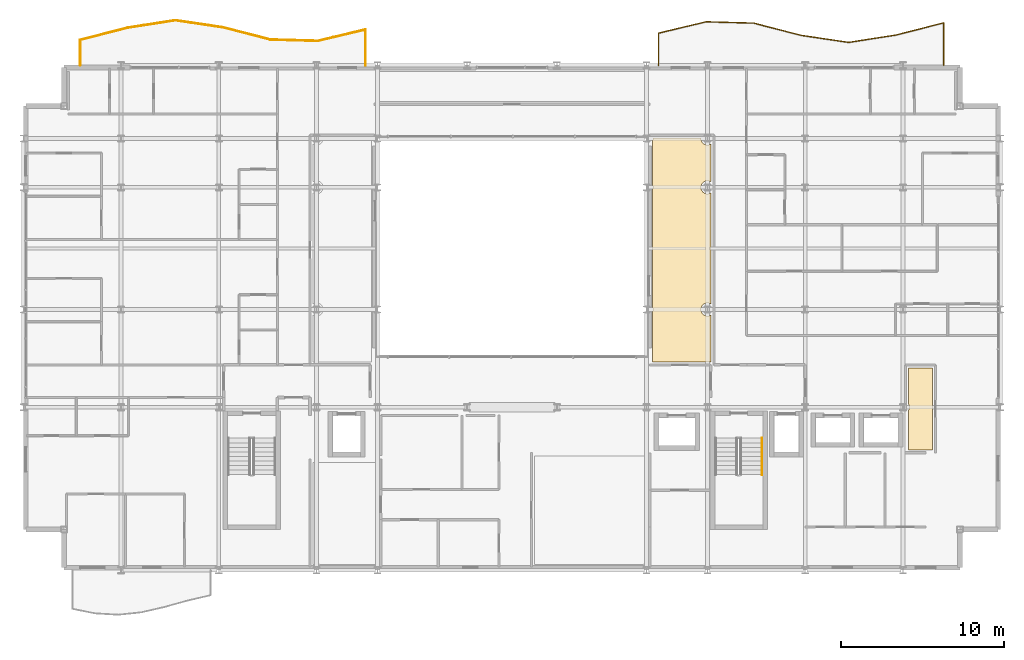
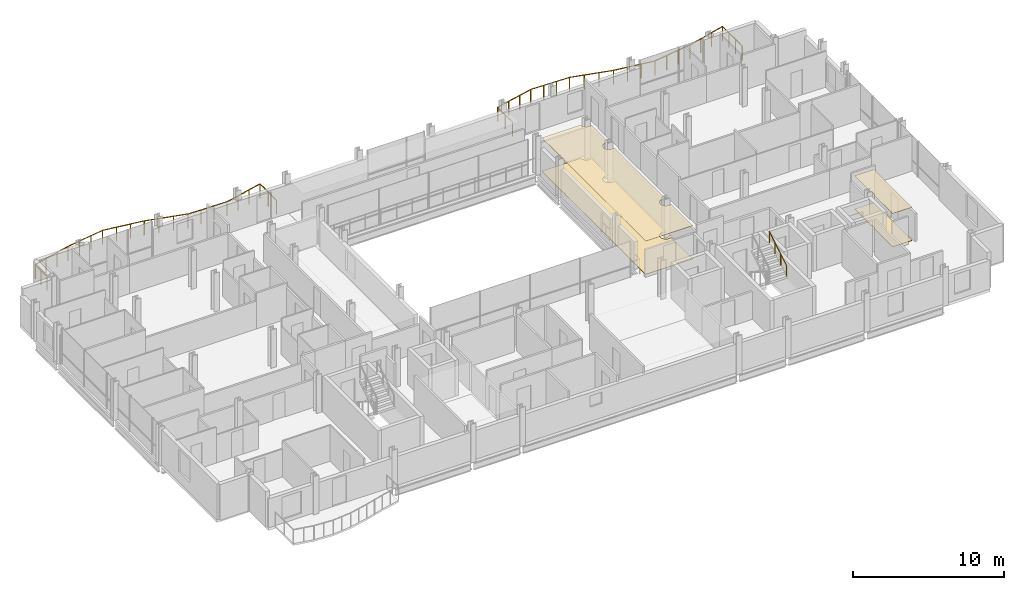
# One storey, part 41 of 41: 4 coverings, 3 railings.
"""IFC4 building model written with IfcOpenShell, lengths in metres."""

from ifc_helpers import new_model, si_unit, direction, frame, origin, origin_2d, place, context, subcontext, project, spatial, polyline, circle, outline, extrude, material, layer, layer_set, type_object, element, save


model = new_model("IFC4")

# Units and contexts
model_context = context("Model", 3, precision=1e-05, world=origin(), true_north=direction((0.0, 1.0)))
body_context = subcontext(model_context, "Body", "Model", "MODEL_VIEW")
ifc_project = project(units=[si_unit("LENGTHUNIT", "METRE"), si_unit("AREAUNIT", "SQUARE_METRE"), si_unit("VOLUMEUNIT", "CUBIC_METRE"), si_unit("PLANEANGLEUNIT", "RADIAN"), si_unit("MASSUNIT", "GRAM", prefix="KILO")], contexts=[model_context])

# Site, building, storey
site_placement = place(None, origin())
site = spatial("IfcSite", under=ifc_project, at=site_placement, CompositionType="ELEMENT")
building_placement = place(site_placement, origin())
building = spatial("IfcBuilding", under=site, at=building_placement, Name="Brevholm Reach", CompositionType="ELEMENT")
storey_placement = place(building_placement, frame((0.0, 0.0, 144.89990234375)))
storey = spatial("IfcBuildingStorey", under=building, at=storey_placement, Name="L43", CompositionType="ELEMENT", Elevation=144.89990234375)

# Coverings
ifc_material_1 = material(Name="Moisture-Resistant Skimmed Gypsum Plasterboard Ceiling", Category="gypsum")
ifc_layer_1 = layer(ifc_material_1, 0.030029296875)
ifc_layer_set_1 = layer_set([ifc_layer_1], Name="Moisture-Resistant Skimmed Gypsum Plasterboard Ceiling")
covering_type_1 = type_object("IfcCoveringType", Name="COV-CLG-GYP", PredefinedType="CEILING", material=ifc_layer_set_1)
covering_1_placement = place(storey_placement, frame((0.0, 0.0, 2.68017578125)))
element("IfcCovering", 1, at=covering_1_placement, inside=storey, type_object=covering_type_1, Name="L43 Suspended Ceiling L43-27", PredefinedType="CEILING", context=body_context, shape_type="SweptSolid", body=[
    extrude(outline(polyline([(54.330078125, 9.7626953125), (54.33056640625, 9.764892578125), (54.33251953125, 9.777587890625), (54.33251953125, 9.77783203125), (54.352783203125, 9.811279296875), (54.36962890625, 9.846923828125), (54.3828125, 9.8837890625), (54.392333984375, 9.922119140625), (54.398193359375, 9.960693359375), (54.39990234375, 10.0), (54.398193359375, 10.039306640625), (54.392333984375, 10.077880859375), (54.3828125, 10.1162109375), (54.36962890625, 10.153076171875), (54.352783203125, 10.188720703125), (54.333984375, 10.219970703125), (54.333984375, 12.419921875), (55.81591796875, 12.419921875), (55.81591796875, 7.3798828125), (55.437255859375, 7.3798828125), (55.43505859375, 7.380615234375), (55.41748046875, 7.383056640625), (55.39990234375, 7.384033203125), (54.330078125, 7.384033203125), (54.330078125, 9.7626953125)])), origin(), (0.0, 0.0, 1.0), 0.030029296875),
])
covering_2_placement = place(storey_placement, frame((0.0, 0.0, 2.68017578125)))
element("IfcCovering", 2, at=covering_2_placement, inside=storey, type_object=covering_type_1, Name="L43 Suspended Ceiling L43-59", PredefinedType="CEILING", context=body_context, shape_type="SweptSolid", body=[
    extrude(outline(polyline([(38.6298828125, 15.876220703125), (38.6328125, 15.8837890625), (38.642333984375, 15.922119140625), (38.648193359375, 15.960693359375), (38.64990234375, 16.0), (38.648193359375, 16.039306640625), (38.642333984375, 16.077880859375), (38.6328125, 16.1162109375), (38.6298828125, 16.123779296875), (38.6298828125, 23.376220703125), (38.6328125, 23.3837890625), (38.642333984375, 23.422119140625), (38.648193359375, 23.460693359375), (38.64990234375, 23.5), (38.648193359375, 23.539306640625), (38.642333984375, 23.577880859375), (38.6328125, 23.6162109375), (38.6298828125, 23.623779296875), (38.6298828125, 26.376220703125), (38.6328125, 26.3837890625), (38.642333984375, 26.422119140625), (38.648193359375, 26.460693359375), (38.64990234375, 26.5), (38.649169921875, 26.51611328125), (41.600830078125, 26.51611328125), (41.60009765625, 26.5), (41.601806640625, 26.460693359375), (41.607666015625, 26.422119140625), (41.6171875, 26.3837890625), (41.63037109375, 26.346923828125), (41.647216796875, 26.311279296875), (41.66748046875, 26.27783203125), (41.69091796875, 26.24609375), (41.71728515625, 26.21728515625), (41.74609375, 26.19091796875), (41.77783203125, 26.16748046875), (41.811279296875, 26.147216796875), (41.846923828125, 26.13037109375), (41.8837890625, 26.1171875), (41.922119140625, 26.107666015625), (41.960693359375, 26.101806640625), (42.0, 26.10009765625), (42.039306640625, 26.101806640625), (42.077880859375, 26.107666015625), (42.1162109375, 26.1171875), (42.153076171875, 26.13037109375), (42.188720703125, 26.147216796875), (42.216064453125, 26.163818359375), (42.216064453125, 23.836181640625), (42.188720703125, 23.852783203125), (42.153076171875, 23.86962890625), (42.1162109375, 23.8828125), (42.077880859375, 23.892333984375), (42.039306640625, 23.898193359375), (42.0, 23.89990234375), (41.960693359375, 23.898193359375), (41.922119140625, 23.892333984375), (41.8837890625, 23.8828125), (41.846923828125, 23.86962890625), (41.811279296875, 23.852783203125), (41.77783203125, 23.83251953125), (41.74609375, 23.80908203125), (41.71728515625, 23.78271484375), (41.69091796875, 23.75390625), (41.66748046875, 23.72216796875), (41.647216796875, 23.688720703125), (41.63037109375, 23.653076171875), (41.6171875, 23.6162109375), (41.607666015625, 23.577880859375), (41.601806640625, 23.539306640625), (41.60009765625, 23.5), (41.601806640625, 23.460693359375), (41.607666015625, 23.422119140625), (41.6171875, 23.3837890625), (41.63037109375, 23.346923828125), (41.647216796875, 23.311279296875), (41.66748046875, 23.27783203125), (41.69091796875, 23.24609375), (41.71728515625, 23.21728515625), (41.74609375, 23.19091796875), (41.77783203125, 23.16748046875), (41.811279296875, 23.147216796875), (41.846923828125, 23.13037109375), (41.8837890625, 23.1171875), (41.922119140625, 23.107666015625), (41.960693359375, 23.101806640625), (42.0, 23.10009765625), (42.039306640625, 23.101806640625), (42.077880859375, 23.107666015625), (42.1162109375, 23.1171875), (42.153076171875, 23.13037109375), (42.188720703125, 23.147216796875), (42.216064453125, 23.163818359375), (42.216064453125, 16.336181640625), (42.188720703125, 16.352783203125), (42.153076171875, 16.36962890625), (42.1162109375, 16.3828125), (42.077880859375, 16.392333984375), (42.039306640625, 16.398193359375), (42.0, 16.39990234375), (41.960693359375, 16.398193359375), (41.922119140625, 16.392333984375), (41.8837890625, 16.3828125), (41.846923828125, 16.36962890625), (41.811279296875, 16.352783203125), (41.77783203125, 16.33251953125), (41.74609375, 16.30908203125), (41.71728515625, 16.28271484375), (41.69091796875, 16.25390625), (41.66748046875, 16.22216796875), (41.647216796875, 16.188720703125), (41.63037109375, 16.153076171875), (41.6171875, 16.1162109375), (41.607666015625, 16.077880859375), (41.601806640625, 16.039306640625), (41.60009765625, 16.0), (41.601806640625, 15.960693359375), (41.607666015625, 15.922119140625), (41.6171875, 15.8837890625), (41.63037109375, 15.846923828125), (41.647216796875, 15.811279296875), (41.66748046875, 15.77783203125), (41.69091796875, 15.74609375), (41.71728515625, 15.71728515625), (41.74609375, 15.69091796875), (41.77783203125, 15.66748046875), (41.811279296875, 15.647216796875), (41.846923828125, 15.63037109375), (41.8837890625, 15.6171875), (41.922119140625, 15.607666015625), (41.960693359375, 15.601806640625), (42.0, 15.60009765625), (42.039306640625, 15.601806640625), (42.077880859375, 15.607666015625), (42.1162109375, 15.6171875), (42.153076171875, 15.63037109375), (42.188720703125, 15.647216796875), (42.216064453125, 15.663818359375), (42.216064453125, 12.783935546875), (38.6298828125, 12.783935546875), (38.6298828125, 15.876220703125)])), origin(), (0.0, 0.0, 1.0), 0.030029296875),
])
ifc_material_2 = material(Name="Honed Portland-Aggregate Resin Terrazzo Flooring", Category="concrete")
ifc_layer_2 = layer(ifc_material_2, 0.031982421875)
ifc_layer_set_2 = layer_set([ifc_layer_2], Name="Honed Portland-Aggregate Resin Terrazzo Flooring")
covering_type_2 = type_object("IfcCoveringType", Name="COV-FLR-TRZ", PredefinedType="FLOORING", material=ifc_layer_set_2)
covering_3_placement = place(storey_placement, origin())
element("IfcCovering", 3, at=covering_3_placement, inside=storey, type_object=covering_type_2, Name="L43 Floor Finish L43-27", PredefinedType="FLOORING", context=body_context, shape_type="SweptSolid", body=[
    extrude(outline(polyline([(54.330078125, 9.7626953125), (54.33056640625, 9.764892578125), (54.33251953125, 9.777587890625), (54.33251953125, 9.77783203125), (54.352783203125, 9.811279296875), (54.36962890625, 9.846923828125), (54.3828125, 9.8837890625), (54.392333984375, 9.922119140625), (54.398193359375, 9.960693359375), (54.39990234375, 10.0), (54.398193359375, 10.039306640625), (54.392333984375, 10.077880859375), (54.3828125, 10.1162109375), (54.36962890625, 10.153076171875), (54.352783203125, 10.188720703125), (54.333984375, 10.219970703125), (54.333984375, 12.419921875), (55.81591796875, 12.419921875), (55.81591796875, 7.3798828125), (55.437255859375, 7.3798828125), (55.43505859375, 7.380615234375), (55.41748046875, 7.383056640625), (55.39990234375, 7.384033203125), (54.330078125, 7.384033203125), (54.330078125, 9.7626953125)])), origin(), (0.0, 0.0, 1.0), 0.031982421875),
])
covering_4_placement = place(storey_placement, origin())
element("IfcCovering", 4, at=covering_4_placement, inside=storey, type_object=covering_type_2, Name="L43 Floor Finish L43-59", PredefinedType="FLOORING", context=body_context, shape_type="SweptSolid", body=[
    extrude(outline(polyline([(38.6298828125, 15.876220703125), (38.6328125, 15.8837890625), (38.642333984375, 15.922119140625), (38.648193359375, 15.960693359375), (38.64990234375, 16.0), (38.648193359375, 16.039306640625), (38.642333984375, 16.077880859375), (38.6328125, 16.1162109375), (38.6298828125, 16.123779296875), (38.6298828125, 23.376220703125), (38.6328125, 23.3837890625), (38.642333984375, 23.422119140625), (38.648193359375, 23.460693359375), (38.64990234375, 23.5), (38.648193359375, 23.539306640625), (38.642333984375, 23.577880859375), (38.6328125, 23.6162109375), (38.6298828125, 23.623779296875), (38.6298828125, 26.376220703125), (38.6328125, 26.3837890625), (38.642333984375, 26.422119140625), (38.648193359375, 26.460693359375), (38.64990234375, 26.5), (38.649169921875, 26.51611328125), (41.600830078125, 26.51611328125), (41.60009765625, 26.5), (41.601806640625, 26.460693359375), (41.607666015625, 26.422119140625), (41.6171875, 26.3837890625), (41.63037109375, 26.346923828125), (41.647216796875, 26.311279296875), (41.66748046875, 26.27783203125), (41.69091796875, 26.24609375), (41.71728515625, 26.21728515625), (41.74609375, 26.19091796875), (41.77783203125, 26.16748046875), (41.811279296875, 26.147216796875), (41.846923828125, 26.13037109375), (41.8837890625, 26.1171875), (41.922119140625, 26.107666015625), (41.960693359375, 26.101806640625), (42.0, 26.10009765625), (42.039306640625, 26.101806640625), (42.077880859375, 26.107666015625), (42.1162109375, 26.1171875), (42.153076171875, 26.13037109375), (42.188720703125, 26.147216796875), (42.216064453125, 26.163818359375), (42.216064453125, 23.836181640625), (42.188720703125, 23.852783203125), (42.153076171875, 23.86962890625), (42.1162109375, 23.8828125), (42.077880859375, 23.892333984375), (42.039306640625, 23.898193359375), (42.0, 23.89990234375), (41.960693359375, 23.898193359375), (41.922119140625, 23.892333984375), (41.8837890625, 23.8828125), (41.846923828125, 23.86962890625), (41.811279296875, 23.852783203125), (41.77783203125, 23.83251953125), (41.74609375, 23.80908203125), (41.71728515625, 23.78271484375), (41.69091796875, 23.75390625), (41.66748046875, 23.72216796875), (41.647216796875, 23.688720703125), (41.63037109375, 23.653076171875), (41.6171875, 23.6162109375), (41.607666015625, 23.577880859375), (41.601806640625, 23.539306640625), (41.60009765625, 23.5), (41.601806640625, 23.460693359375), (41.607666015625, 23.422119140625), (41.6171875, 23.3837890625), (41.63037109375, 23.346923828125), (41.647216796875, 23.311279296875), (41.66748046875, 23.27783203125), (41.69091796875, 23.24609375), (41.71728515625, 23.21728515625), (41.74609375, 23.19091796875), (41.77783203125, 23.16748046875), (41.811279296875, 23.147216796875), (41.846923828125, 23.13037109375), (41.8837890625, 23.1171875), (41.922119140625, 23.107666015625), (41.960693359375, 23.101806640625), (42.0, 23.10009765625), (42.039306640625, 23.101806640625), (42.077880859375, 23.107666015625), (42.1162109375, 23.1171875), (42.153076171875, 23.13037109375), (42.188720703125, 23.147216796875), (42.216064453125, 23.163818359375), (42.216064453125, 16.336181640625), (42.188720703125, 16.352783203125), (42.153076171875, 16.36962890625), (42.1162109375, 16.3828125), (42.077880859375, 16.392333984375), (42.039306640625, 16.398193359375), (42.0, 16.39990234375), (41.960693359375, 16.398193359375), (41.922119140625, 16.392333984375), (41.8837890625, 16.3828125), (41.846923828125, 16.36962890625), (41.811279296875, 16.352783203125), (41.77783203125, 16.33251953125), (41.74609375, 16.30908203125), (41.71728515625, 16.28271484375), (41.69091796875, 16.25390625), (41.66748046875, 16.22216796875), (41.647216796875, 16.188720703125), (41.63037109375, 16.153076171875), (41.6171875, 16.1162109375), (41.607666015625, 16.077880859375), (41.601806640625, 16.039306640625), (41.60009765625, 16.0), (41.601806640625, 15.960693359375), (41.607666015625, 15.922119140625), (41.6171875, 15.8837890625), (41.63037109375, 15.846923828125), (41.647216796875, 15.811279296875), (41.66748046875, 15.77783203125), (41.69091796875, 15.74609375), (41.71728515625, 15.71728515625), (41.74609375, 15.69091796875), (41.77783203125, 15.66748046875), (41.811279296875, 15.647216796875), (41.846923828125, 15.63037109375), (41.8837890625, 15.6171875), (41.922119140625, 15.607666015625), (41.960693359375, 15.601806640625), (42.0, 15.60009765625), (42.039306640625, 15.601806640625), (42.077880859375, 15.607666015625), (42.1162109375, 15.6171875), (42.153076171875, 15.63037109375), (42.188720703125, 15.647216796875), (42.216064453125, 15.663818359375), (42.216064453125, 12.783935546875), (38.6298828125, 12.783935546875), (38.6298828125, 15.876220703125)])), origin(), (0.0, 0.0, 1.0), 0.031982421875),
])

# Railings
ifc_material_3 = material(Name="Brushed Stainless Steel EN 1.4401 and Laminated Glass", Category="steel")
railing_type_1 = type_object("IfcRailingType", Name="RAL-BALC-1150", PredefinedType="BALUSTRADE", material=ifc_material_3)
railing_1_placement = place(storey_placement, frame((56.5, 31.0, 0.0)))
element("IfcRailing", 5, at=railing_1_placement, inside=storey, type_object=railing_type_1, Name="L43 Guard Balustrade RAL-L43-BAL-NE", PredefinedType="BALUSTRADE", context=body_context, shape_type="SweptSolid", body=[
    extrude(circle(Radius=0.02392578125, at=origin_2d()), frame((0.0, 0.0, 1.1259765625), z_axis=(0.0, 1.0, 0.0), x_axis=(-1.0, 0.0, 0.0)), (0.0, 0.0, 1.0), 2.599609375),
    extrude(circle(Radius=0.02392578125, at=origin_2d()), frame((0.0, 2.599609375, 1.1259765625), z_axis=(-0.968942936238, -0.247284423921, 0.0), x_axis=(0.247284423921, -0.968942936238, 0.0)), (0.0, 0.0, 1.0), 3.01025390625),
    extrude(circle(Radius=0.02392578125, at=origin_2d()), frame((-2.916748046875, 1.855224609375, 1.1259765625), z_axis=(-0.988044338858, -0.154169985571, 0.0), x_axis=(0.154169985571, -0.988044338858, 0.0)), (0.0, 0.0, 1.0), 2.951904296875),
    extrude(circle(Radius=0.02392578125, at=origin_2d()), frame((-5.833251953125, 1.400146484375, 1.1259765625), z_axis=(-0.98916653389, 0.146797711943, 0.0), x_axis=(-0.146797711943, -0.98916653389, 0.0)), (0.0, 0.0, 1.0), 2.94873046875),
    extrude(circle(Radius=0.02392578125, at=origin_2d()), frame((-8.75, 1.8330078125, 1.1259765625), z_axis=(-0.968377202247, 0.2494906695, 0.0), x_axis=(-0.2494906695, -0.968377202247, 0.0)), (0.0, 0.0, 1.0), 3.011962890625),
    extrude(circle(Radius=0.02392578125, at=origin_2d()), frame((-11.666748046875, 2.58447265625, 1.1259765625), z_axis=(-0.99961635372, 0.027697389342, 0.0), x_axis=(-0.027697389342, -0.99961635372, 0.0)), (0.0, 0.0, 1.0), 2.917724609375),
    extrude(circle(Radius=0.02392578125, at=origin_2d()), frame((-14.583251953125, 2.665283203125, 1.1259765625), z_axis=(-0.972705660557, -0.23204244853, 0.0), x_axis=(0.23204244853, -0.972705660557, 0.0)), (0.0, 0.0, 1.0), 2.99853515625),
    extrude(circle(Radius=0.02392578125, at=origin_2d()), frame((-17.5, 1.969482421875, 1.1259765625), z_axis=(0.0, -1.0, 0.0), x_axis=(1.0, 0.0, 0.0)), (0.0, 0.0, 1.0), 1.969482421875),
    extrude(circle(Radius=0.02099609375, at=origin_2d()), origin(), (0.0, 0.0, 1.0), 1.101806640625),
    extrude(circle(Radius=0.02099609375, at=origin_2d()), frame((0.0, 0.866455078125, 0.0)), (0.0, 0.0, 1.0), 1.101806640625),
    extrude(circle(Radius=0.02099609375, at=origin_2d()), frame((0.0, 1.733154296875, 0.0)), (0.0, 0.0, 1.0), 1.101806640625),
    extrude(circle(Radius=0.02099609375, at=origin_2d()), frame((0.0, 2.599609375, 0.0)), (0.0, 0.0, 1.0), 1.101806640625),
    extrude(circle(Radius=0.02099609375, at=origin_2d()), frame((-0.97216796875, 2.3515625, 0.0)), (0.0, 0.0, 1.0), 1.101806640625),
    extrude(circle(Radius=0.02099609375, at=origin_2d()), frame((-1.944580078125, 2.103271484375, 0.0)), (0.0, 0.0, 1.0), 1.101806640625),
    extrude(circle(Radius=0.02099609375, at=origin_2d()), frame((-2.916748046875, 1.855224609375, 0.0)), (0.0, 0.0, 1.0), 1.101806640625),
    extrude(circle(Radius=0.02099609375, at=origin_2d()), frame((-3.888916015625, 1.70361328125, 0.0)), (0.0, 0.0, 1.0), 1.101806640625),
    extrude(circle(Radius=0.02099609375, at=origin_2d()), frame((-4.861083984375, 1.5517578125, 0.0)), (0.0, 0.0, 1.0), 1.101806640625),
    extrude(circle(Radius=0.02099609375, at=origin_2d()), frame((-5.833251953125, 1.400146484375, 0.0)), (0.0, 0.0, 1.0), 1.101806640625),
    extrude(circle(Radius=0.02099609375, at=origin_2d()), frame((-6.805419921875, 1.54443359375, 0.0)), (0.0, 0.0, 1.0), 1.101806640625),
    extrude(circle(Radius=0.02099609375, at=origin_2d()), frame((-7.77783203125, 1.688720703125, 0.0)), (0.0, 0.0, 1.0), 1.101806640625),
    extrude(circle(Radius=0.02099609375, at=origin_2d()), frame((-8.75, 1.8330078125, 0.0)), (0.0, 0.0, 1.0), 1.101806640625),
    extrude(circle(Radius=0.02099609375, at=origin_2d()), frame((-9.72216796875, 2.08349609375, 0.0)), (0.0, 0.0, 1.0), 1.101806640625),
    extrude(circle(Radius=0.02099609375, at=origin_2d()), frame((-10.694580078125, 2.333984375, 0.0)), (0.0, 0.0, 1.0), 1.101806640625),
    extrude(circle(Radius=0.02099609375, at=origin_2d()), frame((-11.666748046875, 2.58447265625, 0.0)), (0.0, 0.0, 1.0), 1.101806640625),
    extrude(circle(Radius=0.02099609375, at=origin_2d()), frame((-12.638916015625, 2.611328125, 0.0)), (0.0, 0.0, 1.0), 1.101806640625),
    extrude(circle(Radius=0.02099609375, at=origin_2d()), frame((-13.611083984375, 2.638427734375, 0.0)), (0.0, 0.0, 1.0), 1.101806640625),
    extrude(circle(Radius=0.02099609375, at=origin_2d()), frame((-14.583251953125, 2.665283203125, 0.0)), (0.0, 0.0, 1.0), 1.101806640625),
    extrude(circle(Radius=0.02099609375, at=origin_2d()), frame((-15.555419921875, 2.433349609375, 0.0)), (0.0, 0.0, 1.0), 1.101806640625),
    extrude(circle(Radius=0.02099609375, at=origin_2d()), frame((-16.52783203125, 2.201416015625, 0.0)), (0.0, 0.0, 1.0), 1.101806640625),
    extrude(circle(Radius=0.02099609375, at=origin_2d()), frame((-17.5, 1.969482421875, 0.0)), (0.0, 0.0, 1.0), 1.101806640625),
    extrude(circle(Radius=0.02099609375, at=origin_2d()), frame((-17.5, 0.98486328125, 0.0)), (0.0, 0.0, 1.0), 1.101806640625),
    extrude(circle(Radius=0.02099609375, at=origin_2d()), frame((-17.5, 0.0, 0.0)), (0.0, 0.0, 1.0), 1.101806640625),
])
railing_2_placement = place(storey_placement, frame((21.0, 31.0, 0.0)))
element("IfcRailing", 6, at=railing_2_placement, inside=storey, type_object=railing_type_1, Name="L43 Guard Balustrade RAL-L43-BAL-NW", PredefinedType="BALUSTRADE", context=body_context, shape_type="SweptSolid", body=[
    extrude(circle(Radius=0.02392578125, at=origin_2d()), frame((0.0, 0.0, 1.1259765625), z_axis=(0.0, 1.0, 0.0), x_axis=(-1.0, 0.0, 0.0)), (0.0, 0.0, 1.0), 2.1806640625),
    extrude(circle(Radius=0.02392578125, at=origin_2d()), frame((0.0, 2.1806640625, 1.1259765625), z_axis=(-0.972687280988, -0.232119480882, 0.0), x_axis=(0.232119480882, -0.972687280988, 0.0)), (0.0, 0.0, 1.0), 2.99853515625),
    extrude(circle(Radius=0.02392578125, at=origin_2d()), frame((-2.916748046875, 1.484619140625, 1.1259765625), z_axis=(-0.999614033457, 0.027781002771, 0.0), x_axis=(-0.027781002771, -0.999614033457, 0.0)), (0.0, 0.0, 1.0), 2.917724609375),
    extrude(circle(Radius=0.02392578125, at=origin_2d()), frame((-5.833251953125, 1.565673828125, 1.1259765625), z_axis=(-0.968396782901, 0.249414656482, 0.0), x_axis=(-0.249414656482, -0.968396782901, 0.0)), (0.0, 0.0, 1.0), 3.011962890625),
    extrude(circle(Radius=0.02392578125, at=origin_2d()), frame((-8.75, 2.31689453125, 1.1259765625), z_axis=(-0.989154508095, 0.146878722471, 0.0), x_axis=(-0.146878722471, -0.989154508095, 0.0)), (0.0, 0.0, 1.0), 2.94873046875),
    extrude(circle(Radius=0.02392578125, at=origin_2d()), frame((-11.666748046875, 2.75, 1.1259765625), z_axis=(-0.988044338858, -0.154169985571, 0.0), x_axis=(0.154169985571, -0.988044338858, 0.0)), (0.0, 0.0, 1.0), 2.951904296875),
    extrude(circle(Radius=0.02392578125, at=origin_2d()), frame((-14.583251953125, 2.294921875, 1.1259765625), z_axis=(-0.968923500885, -0.24736056564, 0.0), x_axis=(0.24736056564, -0.968923500885, 0.0)), (0.0, 0.0, 1.0), 3.01025390625),
    extrude(circle(Radius=0.02392578125, at=origin_2d()), frame((-17.5, 1.55029296875, 1.1259765625), z_axis=(0.0, -1.0, 0.0), x_axis=(1.0, 0.0, 0.0)), (0.0, 0.0, 1.0), 1.55029296875),
    extrude(circle(Radius=0.02099609375, at=origin_2d()), origin(), (0.0, 0.0, 1.0), 1.101806640625),
    extrude(circle(Radius=0.02099609375, at=origin_2d()), frame((0.0, 1.09033203125, 0.0)), (0.0, 0.0, 1.0), 1.101806640625),
    extrude(circle(Radius=0.02099609375, at=origin_2d()), frame((0.0, 2.1806640625, 0.0)), (0.0, 0.0, 1.0), 1.101806640625),
    extrude(circle(Radius=0.02099609375, at=origin_2d()), frame((-0.97216796875, 1.94873046875, 0.0)), (0.0, 0.0, 1.0), 1.101806640625),
    extrude(circle(Radius=0.02099609375, at=origin_2d()), frame((-1.944580078125, 1.716552734375, 0.0)), (0.0, 0.0, 1.0), 1.101806640625),
    extrude(circle(Radius=0.02099609375, at=origin_2d()), frame((-2.916748046875, 1.484619140625, 0.0)), (0.0, 0.0, 1.0), 1.101806640625),
    extrude(circle(Radius=0.02099609375, at=origin_2d()), frame((-3.888916015625, 1.51171875, 0.0)), (0.0, 0.0, 1.0), 1.101806640625),
    extrude(circle(Radius=0.02099609375, at=origin_2d()), frame((-4.861083984375, 1.53857421875, 0.0)), (0.0, 0.0, 1.0), 1.101806640625),
    extrude(circle(Radius=0.02099609375, at=origin_2d()), frame((-5.833251953125, 1.565673828125, 0.0)), (0.0, 0.0, 1.0), 1.101806640625),
    extrude(circle(Radius=0.02099609375, at=origin_2d()), frame((-6.805419921875, 1.816162109375, 0.0)), (0.0, 0.0, 1.0), 1.101806640625),
    extrude(circle(Radius=0.02099609375, at=origin_2d()), frame((-7.77783203125, 2.06640625, 0.0)), (0.0, 0.0, 1.0), 1.101806640625),
    extrude(circle(Radius=0.02099609375, at=origin_2d()), frame((-8.75, 2.31689453125, 0.0)), (0.0, 0.0, 1.0), 1.101806640625),
    extrude(circle(Radius=0.02099609375, at=origin_2d()), frame((-9.72216796875, 2.461181640625, 0.0)), (0.0, 0.0, 1.0), 1.101806640625),
    extrude(circle(Radius=0.02099609375, at=origin_2d()), frame((-10.694580078125, 2.605712890625, 0.0)), (0.0, 0.0, 1.0), 1.101806640625),
    extrude(circle(Radius=0.02099609375, at=origin_2d()), frame((-11.666748046875, 2.75, 0.0)), (0.0, 0.0, 1.0), 1.101806640625),
    extrude(circle(Radius=0.02099609375, at=origin_2d()), frame((-12.638916015625, 2.598388671875, 0.0)), (0.0, 0.0, 1.0), 1.101806640625),
    extrude(circle(Radius=0.02099609375, at=origin_2d()), frame((-13.611083984375, 2.446533203125, 0.0)), (0.0, 0.0, 1.0), 1.101806640625),
    extrude(circle(Radius=0.02099609375, at=origin_2d()), frame((-14.583251953125, 2.294921875, 0.0)), (0.0, 0.0, 1.0), 1.101806640625),
    extrude(circle(Radius=0.02099609375, at=origin_2d()), frame((-15.555419921875, 2.046630859375, 0.0)), (0.0, 0.0, 1.0), 1.101806640625),
    extrude(circle(Radius=0.02099609375, at=origin_2d()), frame((-16.52783203125, 1.798583984375, 0.0)), (0.0, 0.0, 1.0), 1.101806640625),
    extrude(circle(Radius=0.02099609375, at=origin_2d()), frame((-17.5, 1.55029296875, 0.0)), (0.0, 0.0, 1.0), 1.101806640625),
    extrude(circle(Radius=0.02099609375, at=origin_2d()), frame((-17.5, 0.775146484375, 0.0)), (0.0, 0.0, 1.0), 1.101806640625),
    extrude(circle(Radius=0.02099609375, at=origin_2d()), frame((-17.5, 0.0, 0.0)), (0.0, 0.0, 1.0), 1.101806640625),
])
ifc_material_4 = material(Name="Brushed Stainless Steel EN 1.4401 Continuous Handrail", Category="steel")
railing_type_2 = type_object("IfcRailingType", Name="RAL-HND-950", PredefinedType="HANDRAIL", material=ifc_material_4)
railing_3_placement = place(storey_placement, frame((45.35009765625, 5.860107421875, 1.722412109375)))
element("IfcRailing", 7, at=railing_3_placement, inside=storey, type_object=railing_type_2, Name="L43 ST-2 stair handrail 2", PredefinedType="HANDRAIL", context=body_context, shape_type="SweptSolid", body=[
    extrude(circle(Radius=0.02392578125, at=origin_2d()), frame((0.0, 0.0, 0.8857421875), z_axis=(0.0, 0.85178898068, 0.523885037382), x_axis=(-1.0, 0.0, 0.0)), (0.0, 0.0, 1.0), 2.629638671875),
    extrude(circle(Radius=0.02099609375, at=origin_2d()), origin(), (0.0, 0.0, 1.0), 0.86181640625),
    extrude(circle(Radius=0.02099609375, at=origin_2d()), frame((0.0, 0.74658203125, 0.459228515625)), (0.0, 0.0, 1.0), 0.86181640625),
    extrude(circle(Radius=0.02099609375, at=origin_2d()), frame((0.0, 1.493408203125, 0.91845703125)), (0.0, 0.0, 1.0), 0.86181640625),
    extrude(circle(Radius=0.02099609375, at=origin_2d()), frame((0.0, 2.239990234375, 1.377685546875)), (0.0, 0.0, 1.0), 0.86181640625),
])

save(model, "model.ifc")
